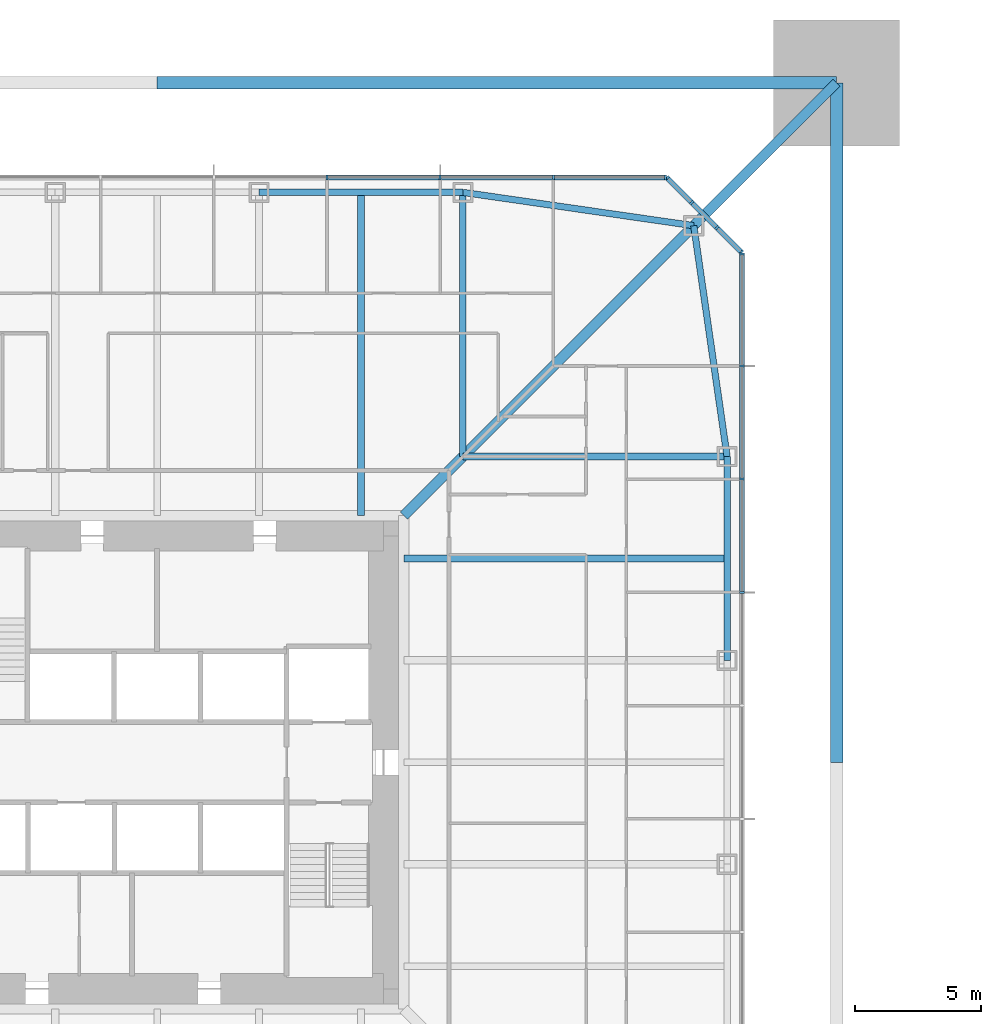
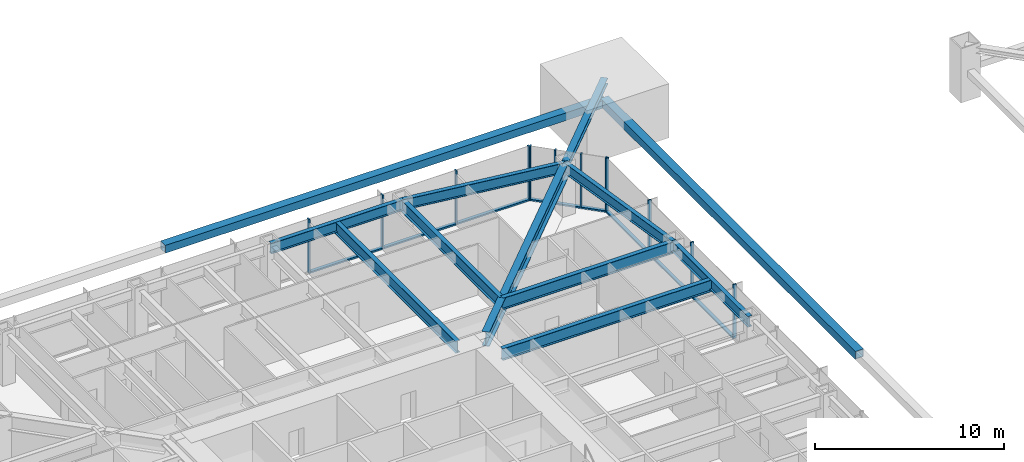
# One storey, part 8 of 27: 24 members, 9 beams, 3 elements without a shape of their own.
"""IFC4 building model written with IfcOpenShell, lengths in metres."""

from ifc_helpers import new_model, si_unit, direction, frame, origin, origin_2d, place, context, subcontext, project, spatial, rectangle, hollow_rectangle, i_section, extrude, material, material_profile, profile_set, type_object, element, aggregate, save


model = new_model("IFC4")

# Units and contexts
model_context = context("Model", 3, precision=1e-05, world=origin(), true_north=direction((0.0, 1.0)))
body_context = subcontext(model_context, "Body", "Model", "MODEL_VIEW")
ifc_project = project(units=[si_unit("LENGTHUNIT", "METRE"), si_unit("AREAUNIT", "SQUARE_METRE"), si_unit("VOLUMEUNIT", "CUBIC_METRE"), si_unit("PLANEANGLEUNIT", "RADIAN"), si_unit("MASSUNIT", "GRAM", prefix="KILO")], contexts=[model_context])

# Site, building, storey
site_placement = place(None, origin())
site = spatial("IfcSite", under=ifc_project, at=site_placement, CompositionType="ELEMENT")
building_placement = place(site_placement, origin())
building = spatial("IfcBuilding", under=site, at=building_placement, Name="Iwan Alto Co-Living Towers", CompositionType="ELEMENT")
storey_placement = place(building_placement, frame((0.0, 0.0, 53.5)))
storey = spatial("IfcBuildingStorey", under=building, at=storey_placement, Name="L14", CompositionType="ELEMENT", Elevation=53.5)

# Curtain wall, members
ifc_material_1 = material(Name="Bronze aluminium unitised frame", Category="aluminium")
curtain_wall_type_1 = type_object("IfcCurtainWallType", Name="CURTAIN WALL CW-A", PredefinedType="NOTDEFINED", material=ifc_material_1)
curtain_wall_1_placement = place(storey_placement, origin())
curtain_wall_1 = element("IfcCurtainWall", 1, at=curtain_wall_1_placement, inside=storey, type_object=curtain_wall_type_1, Name="T1 curtain wall E L14", PredefinedType="NOTDEFINED")
ifc_material_2 = material(Name="Aluminium 6063-T6 bronze anodised", Category="aluminium")
ifc_material_profile_1 = material_profile(ifc_material_2, rectangle(XDim=0.199951171875, YDim=0.080078125, at=origin_2d()), Name="AL 80X200")
ifc_profile_set_1 = profile_set([ifc_material_profile_1], Name="Aluminium 6063-T6 bronze anodised")
member_type_1 = type_object("IfcMemberType", Name="CW-A MULLION 80X200", PredefinedType="MULLION", material=ifc_profile_set_1)
member_1_placement = place(storey_placement, frame((23.25, 6.75, 0.0), z_axis=(0.0, 0.0, 1.0), x_axis=(-1.0, 0.0, 0.0)))
member_1 = element("IfcMember", 2, at=member_1_placement, type_object=member_type_1, Name="CW-A mullion 7", PredefinedType="MULLION", context=body_context, shape_type="SweptSolid", body=[
    extrude(rectangle(XDim=0.199951171875, YDim=0.080078125, at=origin_2d()), origin(), (0.0, 0.0, 1.0), 3.5),
])
member_2_placement = place(storey_placement, frame((23.25, 11.25, 0.0), z_axis=(0.0, 0.0, 1.0), x_axis=(-1.0, 0.0, 0.0)))
member_2 = element("IfcMember", 3, at=member_2_placement, type_object=member_type_1, Name="CW-A mullion 8", PredefinedType="MULLION", context=body_context, shape_type="SweptSolid", body=[
    extrude(rectangle(XDim=0.199951171875, YDim=0.080078125, at=origin_2d()), origin(), (0.0, 0.0, 1.0), 3.5),
])
member_3_placement = place(storey_placement, frame((23.25, 15.75, 0.0), z_axis=(0.0, 0.0, 1.0), x_axis=(-1.0, 0.0, 0.0)))
member_3 = element("IfcMember", 4, at=member_3_placement, type_object=member_type_1, Name="CW-A mullion 9", PredefinedType="MULLION", context=body_context, shape_type="SweptSolid", body=[
    extrude(rectangle(XDim=0.199951171875, YDim=0.080078125, at=origin_2d()), origin(), (0.0, 0.0, 1.0), 3.5),
])
member_4_placement = place(storey_placement, frame((23.25, 20.2099609375, 0.0), z_axis=(0.0, 0.0, 1.0), x_axis=(-1.0, 0.0, 0.0)))
member_4 = element("IfcMember", 5, at=member_4_placement, type_object=member_type_1, Name="CW-A mullion 10", PredefinedType="MULLION", context=body_context, shape_type="SweptSolid", body=[
    extrude(rectangle(XDim=0.199951171875, YDim=0.080078125, at=origin_2d()), origin(), (0.0, 0.0, 1.0), 3.5),
])

curtain_wall_2_placement = place(storey_placement, origin())
curtain_wall_2 = element("IfcCurtainWall", 6, at=curtain_wall_2_placement, inside=storey, type_object=curtain_wall_type_1, Name="T1 curtain wall N L14", PredefinedType="NOTDEFINED")
member_5_placement = place(storey_placement, frame((20.2099609375, 23.25, 0.0), z_axis=(0.0, 0.0, 1.0), x_axis=(0.0, -1.0, 0.0)))
member_5 = element("IfcMember", 7, at=member_5_placement, type_object=member_type_1, Name="CW-A mullion 1", PredefinedType="MULLION", context=body_context, shape_type="SweptSolid", body=[
    extrude(rectangle(XDim=0.199951171875, YDim=0.080078125, at=origin_2d()), origin(), (0.0, 0.0, 1.0), 3.5),
])
member_6_placement = place(storey_placement, frame((15.75, 23.25, 0.0), z_axis=(0.0, 0.0, 1.0), x_axis=(0.0, -1.0, 0.0)))
member_6 = element("IfcMember", 8, at=member_6_placement, type_object=member_type_1, Name="CW-A mullion 2", PredefinedType="MULLION", context=body_context, shape_type="SweptSolid", body=[
    extrude(rectangle(XDim=0.199951171875, YDim=0.080078125, at=origin_2d()), origin(), (0.0, 0.0, 1.0), 3.5),
])
member_7_placement = place(storey_placement, frame((11.25, 23.25, 0.0), z_axis=(0.0, 0.0, 1.0), x_axis=(0.0, -1.0, 0.0)))
member_7 = element("IfcMember", 9, at=member_7_placement, type_object=member_type_1, Name="CW-A mullion 3", PredefinedType="MULLION", context=body_context, shape_type="SweptSolid", body=[
    extrude(rectangle(XDim=0.199951171875, YDim=0.080078125, at=origin_2d()), origin(), (0.0, 0.0, 1.0), 3.5),
])
member_8_placement = place(storey_placement, frame((6.75, 23.25, 0.0), z_axis=(0.0, 0.0, 1.0), x_axis=(0.0, -1.0, 0.0)))
member_8 = element("IfcMember", 10, at=member_8_placement, type_object=member_type_1, Name="CW-A mullion 4", PredefinedType="MULLION", context=body_context, shape_type="SweptSolid", body=[
    extrude(rectangle(XDim=0.199951171875, YDim=0.080078125, at=origin_2d()), origin(), (0.0, 0.0, 1.0), 3.5),
])

# Member
ifc_material_3 = material(Name="Aluminium 6063-T6 bronze anodised", Category="aluminium")
ifc_material_profile_2 = material_profile(ifc_material_3, rectangle(XDim=0.199951171875, YDim=0.10009765625, at=origin_2d()), Name="AL 200X100")
ifc_profile_set_2 = profile_set([ifc_material_profile_2], Name="Aluminium 6063-T6 bronze anodised")
member_type_2 = type_object("IfcMemberType", Name="CW-A TRANSOM 200X100", PredefinedType="USERDEFINED", material=ifc_profile_set_2)
member_9_placement = place(storey_placement, frame((23.25, 6.7900390625, 0.050048828125), z_axis=(0.0, 1.0, 0.0), x_axis=(-1.0, 0.0, 0.0)))
member_9 = element("IfcMember", 11, at=member_9_placement, type_object=member_type_2, Name="CW-A transom 7.1", ObjectType="TRANSOM", PredefinedType="USERDEFINED", context=body_context, shape_type="SweptSolid", body=[
    extrude(rectangle(XDim=0.199951171875, YDim=0.10009765625, at=origin_2d()), origin(), (0.0, 0.0, 1.0), 4.419921875),
])

member_10_placement = place(storey_placement, frame((23.25, 11.2900390625, 0.050048828125), z_axis=(0.0, 1.0, 0.0), x_axis=(-1.0, 0.0, 0.0)))
member_10 = element("IfcMember", 12, at=member_10_placement, type_object=member_type_2, Name="CW-A transom 8.1", ObjectType="TRANSOM", PredefinedType="USERDEFINED", context=body_context, shape_type="SweptSolid", body=[
    extrude(rectangle(XDim=0.199951171875, YDim=0.10009765625, at=origin_2d()), origin(), (0.0, 0.0, 1.0), 4.419921875),
])

member_11_placement = place(storey_placement, frame((23.25, 15.7900390625, 0.050048828125), z_axis=(0.0, 1.0, 0.0), x_axis=(-1.0, 0.0, 0.0)))
member_11 = element("IfcMember", 13, at=member_11_placement, type_object=member_type_2, Name="CW-A transom 9.1", ObjectType="TRANSOM", PredefinedType="USERDEFINED", context=body_context, shape_type="SweptSolid", body=[
    extrude(rectangle(XDim=0.199951171875, YDim=0.10009765625, at=origin_2d()), origin(), (0.0, 0.0, 1.0), 4.3798828125),
])

aggregate(curtain_wall_1, [member_1, member_2, member_3, member_4, member_9, member_10, member_11])

member_12_placement = place(storey_placement, frame((20.169921875, 23.25, 0.050048828125), z_axis=(-1.0, 0.0, 0.0), x_axis=(0.0, -1.0, 0.0)))
member_12 = element("IfcMember", 14, at=member_12_placement, type_object=member_type_2, Name="CW-A transom 1.1", ObjectType="TRANSOM", PredefinedType="USERDEFINED", context=body_context, shape_type="SweptSolid", body=[
    extrude(rectangle(XDim=0.199951171875, YDim=0.10009765625, at=origin_2d()), origin(), (0.0, 0.0, 1.0), 4.3798828125),
])

member_13_placement = place(storey_placement, frame((15.7099609375, 23.25, 0.050048828125), z_axis=(-1.0, 0.0, 0.0), x_axis=(0.0, -1.0, 0.0)))
member_13 = element("IfcMember", 15, at=member_13_placement, type_object=member_type_2, Name="CW-A transom 2.1", ObjectType="TRANSOM", PredefinedType="USERDEFINED", context=body_context, shape_type="SweptSolid", body=[
    extrude(rectangle(XDim=0.199951171875, YDim=0.10009765625, at=origin_2d()), origin(), (0.0, 0.0, 1.0), 4.419921875),
])

member_14_placement = place(storey_placement, frame((11.2099609375, 23.25, 0.050048828125), z_axis=(-1.0, 0.0, 0.0), x_axis=(0.0, -1.0, 0.0)))
member_14 = element("IfcMember", 16, at=member_14_placement, type_object=member_type_2, Name="CW-A transom 3.1", ObjectType="TRANSOM", PredefinedType="USERDEFINED", context=body_context, shape_type="SweptSolid", body=[
    extrude(rectangle(XDim=0.199951171875, YDim=0.10009765625, at=origin_2d()), origin(), (0.0, 0.0, 1.0), 4.419921875),
])

aggregate(curtain_wall_2, [member_5, member_6, member_7, member_8, member_12, member_13, member_14])

# Curtain wall, members
ifc_material_4 = material(Name="Bronze aluminium unitised frame", Category="aluminium")
curtain_wall_type_2 = type_object("IfcCurtainWallType", Name="CURTAIN WALL CW-B", PredefinedType="NOTDEFINED", material=ifc_material_4)
curtain_wall_3_placement = place(storey_placement, origin())
curtain_wall_3 = element("IfcCurtainWall", 17, at=curtain_wall_3_placement, inside=storey, type_object=curtain_wall_type_2, Name="T1 chamfer curtain wall NE L14", PredefinedType="NOTDEFINED")
ifc_material_5 = material(Name="Aluminium 6063-T6 bronze anodised", Category="aluminium")
ifc_material_profile_3 = material_profile(ifc_material_5, rectangle(XDim=0.199951171875, YDim=0.080078125, at=origin_2d()), Name="AL 80X200")
ifc_profile_set_3 = profile_set([ifc_material_profile_3], Name="Aluminium 6063-T6 bronze anodised")
member_type_3 = type_object("IfcMemberType", Name="CW-B MULLION 80X200", PredefinedType="MULLION", material=ifc_profile_set_3)
member_15_placement = place(storey_placement, frame((23.2216796875, 20.2783203125, 0.0), z_axis=(0.0, 0.0, 1.0), x_axis=(-0.707106781187, -0.707106781187, 0.0)))
member_15 = element("IfcMember", 18, at=member_15_placement, type_object=member_type_3, Name="CW-B mullion 1", PredefinedType="MULLION", context=body_context, shape_type="SweptSolid", body=[
    extrude(rectangle(XDim=0.199951171875, YDim=0.080078125, at=origin_2d()), origin(), (0.0, 0.0, 1.0), 3.5),
])
member_16_placement = place(storey_placement, frame((22.25, 21.25, 0.0), z_axis=(0.0, 0.0, 1.0), x_axis=(-0.707106781187, -0.707106781187, 0.0)))
member_16 = element("IfcMember", 19, at=member_16_placement, type_object=member_type_3, Name="CW-B mullion 2", PredefinedType="MULLION", context=body_context, shape_type="SweptSolid", body=[
    extrude(rectangle(XDim=0.199951171875, YDim=0.080078125, at=origin_2d()), origin(), (0.0, 0.0, 1.0), 3.5),
])
member_17_placement = place(storey_placement, frame((21.25, 22.25, 0.0), z_axis=(0.0, 0.0, 1.0), x_axis=(-0.707106781187, -0.707106781187, 0.0)))
member_17 = element("IfcMember", 20, at=member_17_placement, type_object=member_type_3, Name="CW-B mullion 3", PredefinedType="MULLION", context=body_context, shape_type="SweptSolid", body=[
    extrude(rectangle(XDim=0.199951171875, YDim=0.080078125, at=origin_2d()), origin(), (0.0, 0.0, 1.0), 3.5),
])
member_18_placement = place(storey_placement, frame((20.2783203125, 23.2216796875, 0.0), z_axis=(0.0, 0.0, 1.0), x_axis=(-0.707106781187, -0.707106781187, 0.0)))
member_18 = element("IfcMember", 21, at=member_18_placement, type_object=member_type_3, Name="CW-B mullion 4", PredefinedType="MULLION", context=body_context, shape_type="SweptSolid", body=[
    extrude(rectangle(XDim=0.199951171875, YDim=0.080078125, at=origin_2d()), origin(), (0.0, 0.0, 1.0), 3.5),
])
ifc_material_6 = material(Name="Aluminium 6063-T6 bronze anodised", Category="aluminium")
ifc_material_profile_4 = material_profile(ifc_material_6, rectangle(XDim=0.199951171875, YDim=0.10009765625, at=origin_2d()), Name="AL 200X100")
ifc_profile_set_4 = profile_set([ifc_material_profile_4], Name="Aluminium 6063-T6 bronze anodised")
member_type_4 = type_object("IfcMemberType", Name="CW-B TRANSOM 200X100", PredefinedType="USERDEFINED", material=ifc_profile_set_4)
member_19_placement = place(storey_placement, frame((23.193359375, 20.306640625, 0.050048828125), z_axis=(-0.707106781187, 0.707106781187, 0.0), x_axis=(-0.707106781187, -0.707106781187, 0.0)))
member_19 = element("IfcMember", 22, at=member_19_placement, type_object=member_type_4, Name="CW-B transom 1.1", ObjectType="TRANSOM", PredefinedType="USERDEFINED", context=body_context, shape_type="SweptSolid", body=[
    extrude(rectangle(XDim=0.199951171875, YDim=0.10009765625, at=origin_2d()), origin(), (0.0, 0.0, 1.0), 1.2939453125),
])
member_20_placement = place(storey_placement, frame((22.2216796875, 21.2783203125, 0.050048828125), z_axis=(-0.707106781187, 0.707106781187, 0.0), x_axis=(-0.707106781187, -0.707106781187, 0.0)))
member_20 = element("IfcMember", 23, at=member_20_placement, type_object=member_type_4, Name="CW-B transom 2.1", ObjectType="TRANSOM", PredefinedType="USERDEFINED", context=body_context, shape_type="SweptSolid", body=[
    extrude(rectangle(XDim=0.199951171875, YDim=0.10009765625, at=origin_2d()), origin(), (0.0, 0.0, 1.0), 1.334228515625),
])
member_21_placement = place(storey_placement, frame((21.2216796875, 22.2783203125, 0.050048828125), z_axis=(-0.707106781187, 0.707106781187, 0.0), x_axis=(-0.707106781187, -0.707106781187, 0.0)))
member_21 = element("IfcMember", 24, at=member_21_placement, type_object=member_type_4, Name="CW-B transom 3.1", ObjectType="TRANSOM", PredefinedType="USERDEFINED", context=body_context, shape_type="SweptSolid", body=[
    extrude(rectangle(XDim=0.199951171875, YDim=0.10009765625, at=origin_2d()), origin(), (0.0, 0.0, 1.0), 1.2939453125),
])
aggregate(curtain_wall_3, [member_15, member_16, member_17, member_18, member_19, member_20, member_21])

# Beams
ifc_material_7 = material(Name="Steel ASTM A992 Gr 50", Category="steel")
ifc_material_profile_5 = material_profile(ifc_material_7, i_section(OverallWidth=0.419189453125, OverallDepth=0.927001953125, WebThickness=0.019287109375, FlangeThickness=0.031982421875, at=origin_2d()), Name="W36X231")
ifc_profile_set_5 = profile_set([ifc_material_profile_5], Name="Steel ASTM A992 Gr 50")
beam_type_1 = type_object("IfcBeamType", Name="T1 CORNER GIRDER W36X231", PredefinedType="BEAM", material=ifc_profile_set_5)
beam_1_placement = place(storey_placement, frame((21.32568359375, 21.32568359375, 2.806396484375), z_axis=(-0.707106781187, -0.707106781187, 0.0), x_axis=(0.707106781187, -0.707106781187, 0.0)))
element("IfcBeam", 25, at=beam_1_placement, inside=storey, type_object=beam_type_1, Name="T1 corner girder CNE L15", PredefinedType="BEAM", context=body_context, shape_type="SweptSolid", body=[
    extrude(i_section(OverallWidth=0.419189453125, OverallDepth=0.927001953125, WebThickness=0.019287109375, FlangeThickness=0.031982421875, at=origin_2d()), origin(), (0.0, 0.0, 1.0), 16.296875),
])
ifc_material_8 = material(Name="Steel ASTM A992 Gr 50", Category="steel")
ifc_material_profile_6 = material_profile(ifc_material_8, i_section(OverallWidth=0.25390625, OverallDepth=0.683349609375, WebThickness=0.012451171875, FlangeThickness=0.018798828125, at=origin_2d()), Name="W27X94")
ifc_profile_set_6 = profile_set([ifc_material_profile_6], Name="Steel ASTM A992 Gr 50")
beam_type_2 = type_object("IfcBeamType", Name="T1 EDGE BEAM W27X94", PredefinedType="BEAM", material=ifc_profile_set_6)
beam_2_placement = place(storey_placement, frame((22.64990234375, 4.050048828125, 2.928466796875), z_axis=(0.0, 1.0, 0.0), x_axis=(-1.0, 0.0, 0.0)))
element("IfcBeam", 26, at=beam_2_placement, inside=storey, type_object=beam_type_2, Name="T1 edge beam E3 L15", PredefinedType="BEAM", context=body_context, shape_type="SweptSolid", body=[
    extrude(i_section(OverallWidth=0.25390625, OverallDepth=0.683349609375, WebThickness=0.012451171875, FlangeThickness=0.018798828125, at=origin_2d()), origin(), (0.0, 0.0, 1.0), 8.099853515625),
])
for number, where, z_axis, x_axis, name in (
    (27, (22.64990234375, 12.14990234375, 2.928466796875), (-0.142836940589, 0.989746234347, 0.0), (-0.989746234347, -0.142836940589, 0.0), "T1 edge beam E4 L15"),
    (28, (21.32568359375, 21.32568359375, 2.928466796875), (-0.989746234347, 0.142836940589, 0.0), (-0.142836940589, -0.989746234347, 0.0), "T1 edge beam CNE L15"),
):
    element("IfcBeam", number, at=place(storey_placement, frame(where, z_axis=z_axis, x_axis=x_axis)), inside=storey, type_object=beam_type_2, Name=name, PredefinedType="BEAM", context=body_context, shape_type="SweptSolid", body=[
        extrude(i_section(OverallWidth=0.25390625, OverallDepth=0.683349609375, WebThickness=0.012451171875, FlangeThickness=0.018798828125, at=origin_2d()), origin(), (0.0, 0.0, 1.0), 9.270751953125),
    ])
beam_3_placement = place(storey_placement, frame((12.14990234375, 22.64990234375, 2.928466796875), z_axis=(-1.0, 0.0, 0.0), x_axis=(0.0, -1.0, 0.0)))
element("IfcBeam", 29, at=beam_3_placement, inside=storey, type_object=beam_type_2, Name="T1 edge beam N1 L15", PredefinedType="BEAM", context=body_context, shape_type="SweptSolid", body=[
    extrude(i_section(OverallWidth=0.25390625, OverallDepth=0.683349609375, WebThickness=0.012451171875, FlangeThickness=0.018798828125, at=origin_2d()), origin(), (0.0, 0.0, 1.0), 8.099853515625),
])

# Members
ifc_material_9 = material(Name="Steel ASTM A992 Gr 50", Category="steel")
ifc_material_profile_7 = material_profile(ifc_material_9, i_section(OverallWidth=0.393798828125, OverallDepth=0.3759765625, WebThickness=0.017333984375, FlangeThickness=0.027587890625, at=origin_2d()), Name="W14X145")
ifc_profile_set_7 = profile_set([ifc_material_profile_7], Name="Steel ASTM A992 Gr 50")
member_type_5 = type_object("IfcMemberType", Name="T1 MEGA COLUMN FLOOR TIE W14X145", PredefinedType="STRUT", material=ifc_profile_set_7)
member_22_placement = place(storey_placement, frame((27.0, 27.0, 3.08203125), z_axis=(-0.707106781187, -0.707106781187, 0.0), x_axis=(0.707106781187, -0.707106781187, 0.0)))
element("IfcMember", 30, at=member_22_placement, inside=storey, type_object=member_type_5, Name="T1 mega column floor tie NE L15", PredefinedType="STRUT", context=body_context, shape_type="SweptSolid", body=[
    extrude(i_section(OverallWidth=0.393798828125, OverallDepth=0.3759765625, WebThickness=0.017333984375, FlangeThickness=0.027587890625, at=origin_2d()), origin(), (0.0, 0.0, 1.0), 8.024658203125),
])
ifc_material_10 = material(Name="Steel ASTM A572 Gr 50", Category="steel")
ifc_material_profile_8 = material_profile(ifc_material_10, hollow_rectangle(XDim=0.5, YDim=0.5, WallThickness=0.031982421875, at=origin_2d()), Name="BOX 500X500X32")
ifc_profile_set_8 = profile_set([ifc_material_profile_8], Name="Steel ASTM A572 Gr 50")
member_type_6 = type_object("IfcMemberType", Name="T1 MEGA TIE BOX 500X500X32", PredefinedType="STRUT", material=ifc_profile_set_8)
for number, where, z_axis, x_axis, name in (
    (31, (27.0, 0.0, 1.75), (0.0, 1.0, 0.0), (-1.0, 0.0, 0.0), "T1 mega tie Z1B E 2"),
    (32, (27.0, 27.0, 1.75), (-1.0, 0.0, 0.0), (0.0, -1.0, 0.0), "T1 mega tie Z1B N 1"),
):
    element("IfcMember", number, at=place(storey_placement, frame(where, z_axis=z_axis, x_axis=x_axis)), inside=storey, type_object=member_type_6, Name=name, PredefinedType="STRUT", context=body_context, shape_type="SweptSolid", body=[
        extrude(hollow_rectangle(XDim=0.5, YDim=0.5, WallThickness=0.031982421875, at=origin_2d()), origin(), (0.0, 0.0, 1.0), 27.0),
    ])

# Beams
ifc_material_11 = material(Name="Steel ASTM A992 Gr 50", Category="steel")
ifc_material_profile_9 = material_profile(ifc_material_11, i_section(OverallWidth=0.2666015625, OverallDepth=0.761962890625, WebThickness=0.014404296875, FlangeThickness=0.021484375, at=origin_2d()), Name="W30X116")
ifc_profile_set_9 = profile_set([ifc_material_profile_9], Name="Steel ASTM A992 Gr 50")
beam_type_3 = type_object("IfcBeamType", Name="T1 RADIAL BEAM W30X116", PredefinedType="BEAM", material=ifc_profile_set_9)
for number, where, z_axis, x_axis, name in (
    (33, (22.64990234375, 12.14990234375, 2.888916015625), (-1.0, 0.0, 0.0), (0.0, -1.0, 0.0), "T1 radial beam E4 L15"),
    (34, (12.14990234375, 22.64990234375, 2.888916015625), (0.0, -1.0, 0.0), (1.0, 0.0, 0.0), "T1 radial beam N1 L15"),
):
    element("IfcBeam", number, at=place(storey_placement, frame(where, z_axis=z_axis, x_axis=x_axis)), inside=storey, type_object=beam_type_3, Name=name, PredefinedType="BEAM", context=body_context, shape_type="SweptSolid", body=[
        extrude(i_section(OverallWidth=0.2666015625, OverallDepth=0.761962890625, WebThickness=0.014404296875, FlangeThickness=0.021484375, at=origin_2d()), origin(), (0.0, 0.0, 1.0), 10.5),
    ])
ifc_material_12 = material(Name="Steel ASTM A992 Gr 50", Category="steel")
ifc_material_profile_10 = material_profile(ifc_material_12, i_section(OverallWidth=0.2666015625, OverallDepth=0.761962890625, WebThickness=0.014404296875, FlangeThickness=0.021484375, at=origin_2d()), Name="W30X116")
ifc_profile_set_10 = profile_set([ifc_material_profile_10], Name="Steel ASTM A992 Gr 50")
beam_type_4 = type_object("IfcBeamType", Name="T1 SECONDARY BEAM W30X116", PredefinedType="JOIST", material=ifc_profile_set_10)
for number, where, z_axis, x_axis, name in (
    (35, (22.64990234375, 8.10009765625, 2.888916015625), (-1.0, 0.0, 0.0), (0.0, -1.0, 0.0), "T1 secondary beam E3 L15"),
    (36, (8.10009765625, 22.64990234375, 2.888916015625), (0.0, -1.0, 0.0), (1.0, 0.0, 0.0), "T1 secondary beam N1 L15"),
):
    element("IfcBeam", number, at=place(storey_placement, frame(where, z_axis=z_axis, x_axis=x_axis)), inside=storey, type_object=beam_type_4, Name=name, PredefinedType="JOIST", context=body_context, shape_type="SweptSolid", body=[
        extrude(i_section(OverallWidth=0.2666015625, OverallDepth=0.761962890625, WebThickness=0.014404296875, FlangeThickness=0.021484375, at=origin_2d()), origin(), (0.0, 0.0, 1.0), 12.847900390625),
    ])

save(model, "model.ifc")
